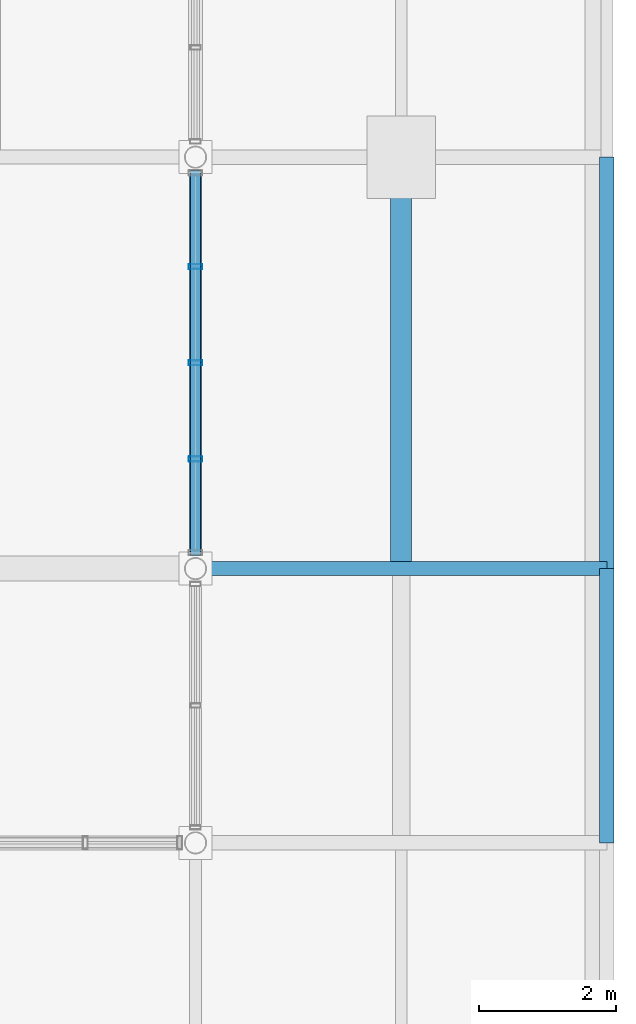
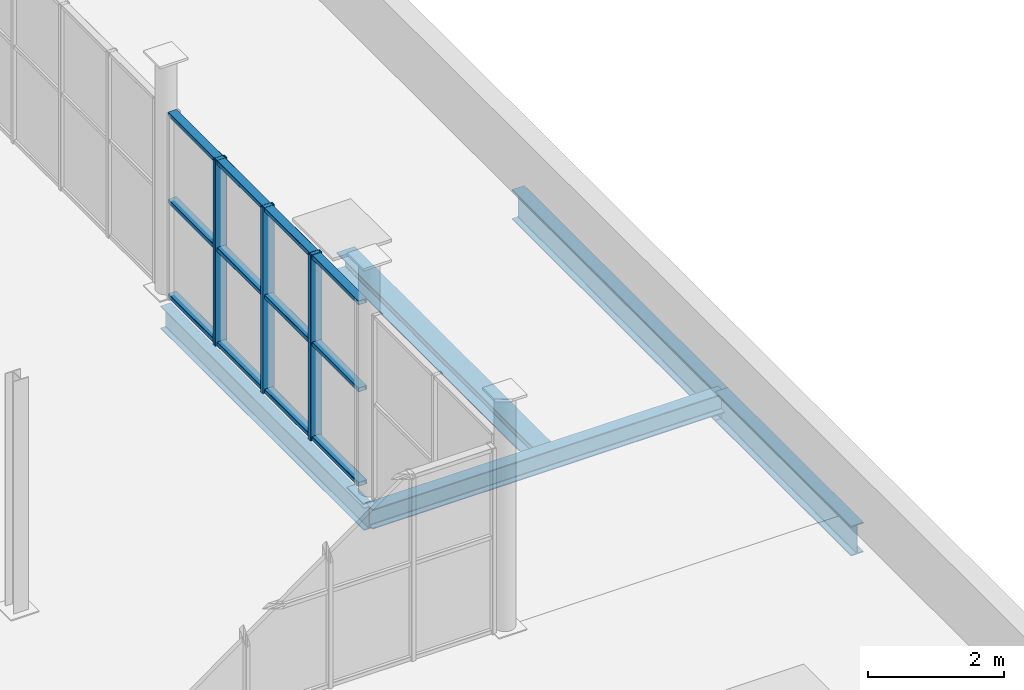
# One storey, part 10 of 27: 6 members, 5 beams, 1 element without a shape of its own.
"""IFC4 building model written with IfcOpenShell, lengths in metres."""

import ifcopenshell
import ifcopenshell.guid

model = None  # the IFC model being written
_history = None  # IfcOwnerHistory: only IFC2X3 demands one
_inside = {}  # id of a spatial element -> (the spatial element, [elements in it])
_under = {}  # id of a project, library or spatial element -> (it, [spatial elements below it])
_declared = {}  # id of a project -> (the project, [libraries it declares])
_typed = {}  # id of a type object -> (the type object, [elements of that type])
_made_of = {}  # id of a material, layer set ... -> (it, [elements and type objects made of it])


def new_model(schema):
    """Start an empty IFC model of exactly this schema.

    Asked for "IFC4X3", IfcOpenShell would pick the latest addendum, in which some entities
    have other attributes; the version numbers below select the first issue.
    IFC2X3 requires an IfcOwnerHistory on every rooted entity: one is made here for all.
    """
    global model, _history
    if schema == "IFC4X3":
        model = ifcopenshell.file(schema_version=(4, 3, 0, 0))
    else:
        model = ifcopenshell.file(schema=schema)
    _inside.clear()
    _under.clear()
    _declared.clear()
    _typed.clear()
    _made_of.clear()
    _history = None
    if model.schema == "IFC2X3":
        org = make("IfcOrganization", Name="unknown")
        user = make(
            "IfcPersonAndOrganization",
            ThePerson=make("IfcPerson", FamilyName="unknown"),
            TheOrganization=org,
        )
        app = make(
            "IfcApplication",
            ApplicationDeveloper=org,
            Version="unknown",
            ApplicationFullName="unknown",
            ApplicationIdentifier="unknown",
        )
        _history = make(
            "IfcOwnerHistory",
            OwningUser=user,
            OwningApplication=app,
            ChangeAction="ADDED",
            CreationDate=0,
        )
    return model


def make(cls, **values):
    """One entity of the class cls with the attributes given. An attribute that is None is left unset."""
    return model.create_entity(
        cls, **{name: value for name, value in values.items() if value is not None}
    )


def rooted(cls, **values):
    """An entity with a GlobalId (a new one), such as an element, a storey or a relation."""
    return make(cls, GlobalId=ifcopenshell.guid.new(), OwnerHistory=_history, **values)


def si_unit(unit_type, name, prefix=None):
    """IfcSIUnit, for example si_unit("LENGTHUNIT", "METRE", prefix="MILLI")."""
    return make("IfcSIUnit", UnitType=unit_type, Prefix=prefix, Name=name)


def assignment(units):
    """IfcUnitAssignment: the units of a project."""
    return None if units is None else make("IfcUnitAssignment", Units=units)


def point(xyz):
    """IfcCartesianPoint."""
    return None if xyz is None else make("IfcCartesianPoint", Coordinates=xyz)


def direction(xyz):
    """IfcDirection."""
    return None if xyz is None else make("IfcDirection", DirectionRatios=xyz)


def frame(location, z_axis=None, x_axis=None):
    """IfcAxis2Placement3D, a coordinate frame: its origin and axes. An axis left out is left unset."""
    return make(
        "IfcAxis2Placement3D",
        Location=point(location),
        Axis=direction(z_axis),
        RefDirection=direction(x_axis),
    )


def frame_2d(location, x_axis=None):
    """IfcAxis2Placement2D, a coordinate frame in the plane: its origin and x axis."""
    return make(
        "IfcAxis2Placement2D", Location=point(location), RefDirection=direction(x_axis)
    )


def origin():
    """The frame at (0, 0, 0) with its axes left unset."""
    return frame((0.0, 0.0, 0.0))


def origin_2d():
    """The frame at (0, 0) in the plane with its x axis left unset."""
    return frame_2d((0.0, 0.0))


def place(relative_to, where):
    """IfcLocalPlacement: puts the frame where relative to a parent placement (None: the world)."""
    return make(
        "IfcLocalPlacement", PlacementRelTo=relative_to, RelativePlacement=where
    )


def context(
    kind, dimensions, precision=None, world=None, true_north=None, identifier=None
):
    """IfcGeometricRepresentationContext, for example the 3D "Model" context."""
    return make(
        "IfcGeometricRepresentationContext",
        ContextIdentifier=identifier,
        ContextType=kind,
        CoordinateSpaceDimension=dimensions,
        Precision=precision,
        WorldCoordinateSystem=world,
        TrueNorth=true_north,
    )


def subcontext(parent, identifier, kind, view, scale=None):
    """IfcGeometricRepresentationSubContext, for example "Body" below "Model"."""
    return make(
        "IfcGeometricRepresentationSubContext",
        ContextIdentifier=identifier,
        ContextType=kind,
        ParentContext=parent,
        TargetScale=scale,
        TargetView=view,
    )


def project(units=None, contexts=None):
    """IfcProject with its units and contexts."""
    return rooted(
        "IfcProject",
        Name="project",
        RepresentationContexts=contexts,
        UnitsInContext=assignment(units),
    )


def spatial(cls, under=None, at=None, **own):
    """A site, building, storey or space (cls), placed at a placement, below another one or the project."""
    s = rooted(cls, ObjectPlacement=at, **own)
    if under is not None:
        _under.setdefault(under.id(), (under, []))[1].append(s)
    return s


def profile(cls, at=None, kind="AREA", **sizes):
    """A parametric profile (cls). Its sizes go by their IFC names, for example OverallWidth=200.0."""
    return make(cls, ProfileType=kind, Position=at, **sizes)


def hollow_rectangle(**sizes):
    """IfcRectangleHollowProfileDef."""
    return profile("IfcRectangleHollowProfileDef", **sizes)


def i_section(**sizes):
    """IfcIShapeProfileDef."""
    return profile("IfcIShapeProfileDef", **sizes)


def extrude(swept, where, along, depth):
    """IfcExtrudedAreaSolid: the profile swept, set in the frame where, extruded along a direction by depth."""
    return make(
        "IfcExtrudedAreaSolid",
        SweptArea=swept,
        Position=where,
        ExtrudedDirection=direction(along),
        Depth=depth,
    )


def shape(context_of_items, identifier, shape_type, items):
    """IfcShapeRepresentation: the items that make up one representation, for example the "Body"."""
    return make(
        "IfcShapeRepresentation",
        ContextOfItems=context_of_items,
        RepresentationIdentifier=identifier,
        RepresentationType=shape_type,
        Items=items,
    )


def material(Name=None, Category=None):
    """IfcMaterial."""
    return make("IfcMaterial", Name=Name, Category=Category)


def material_profile(
    of_material, cross_section, Name=None, Category=None, Priority=None
):
    """IfcMaterialProfile: a cross section and its material."""
    return make(
        "IfcMaterialProfile",
        Name=Name,
        Material=of_material,
        Profile=cross_section,
        Priority=Priority,
        Category=Category,
    )


def profile_set(profiles, Name=None, composite=None):
    """IfcMaterialProfileSet."""
    return make(
        "IfcMaterialProfileSet",
        Name=Name,
        MaterialProfiles=profiles,
        CompositeProfile=composite,
    )


def made_of(thing, what):
    """Note that an element or type object is made of a material, layer set ...; save() writes the relation."""
    if what is not None:
        _made_of.setdefault(what.id(), (what, []))[1].append(thing)
    return thing


def type_object(cls, material=None, **own):
    """A type object (cls), such as IfcWallType, which elements share."""
    return made_of(rooted(cls, **own), material)


def element(
    cls,
    number,
    at=None,
    inside=None,
    cuts=None,
    type_object=None,
    material=None,
    context=None,
    identifier="Body",
    shape_type=None,
    held_by="IfcProductDefinitionShape",
    body=None,
    shapes=None,
    **own,
):
    """One element of the class cls, such as IfcWall. Its Tag is "e" and its number.

    at: its placement. inside: the storey or other place that contains it. cuts: it is an
    opening in that element (IfcRelVoidsElement). A single representation is given by context,
    identifier, shape_type and body (its items); several are given by shapes. held_by: the class
    of the entity that holds the representations. save() writes the other relations.
    """
    e = rooted(cls, Tag="e%d" % number, ObjectPlacement=at, **own)
    if body is not None:
        shapes = [shape(context, identifier, shape_type, body)]
    if shapes is not None:
        e.Representation = make(held_by, Representations=shapes)
    if inside is not None:
        _inside.setdefault(inside.id(), (inside, []))[1].append(e)
    if cuts is not None:
        rooted(
            "IfcRelVoidsElement", RelatingBuildingElement=cuts, RelatedOpeningElement=e
        )
    if type_object is not None:
        _typed.setdefault(type_object.id(), (type_object, []))[1].append(e)
    return made_of(e, material)


def aggregate(whole, parts):
    """IfcRelAggregates: a whole, such as a stair, and the parts it consists of."""
    return rooted("IfcRelAggregates", RelatingObject=whole, RelatedObjects=parts)


def save(model, path):
    """Write the relations noted so far, then the file.

    IfcRelAggregates (storeys below a building ...), IfcRelContainedInSpatialStructure (elements
    in a storey), IfcRelDefinesByType, IfcRelAssociatesMaterial and IfcRelDeclares: one each for
    every whole, place, type object, material and project.
    """
    for whole, parts in _under.values():
        aggregate(whole, parts)
    for where, things in _inside.values():
        rooted(
            "IfcRelContainedInSpatialStructure",
            RelatedElements=things,
            RelatingStructure=where,
        )
    for kind, things in _typed.values():
        rooted("IfcRelDefinesByType", RelatedObjects=things, RelatingType=kind)
    for what, things in _made_of.values():
        rooted("IfcRelAssociatesMaterial", RelatedObjects=things, RelatingMaterial=what)
    for by, libraries in _declared.values():
        rooted("IfcRelDeclares", RelatingContext=by, RelatedDefinitions=libraries)
    model.write(path)


model = new_model("IFC4")

# Units and contexts
model_context = context("Model", 3, precision=1e-05, world=origin(), true_north=direction((0.0, 1.0)))
body_context = subcontext(model_context, "Body", "Model", "MODEL_VIEW")
ifc_project = project(units=[si_unit("LENGTHUNIT", "METRE"), si_unit("AREAUNIT", "SQUARE_METRE"), si_unit("VOLUMEUNIT", "CUBIC_METRE"), si_unit("PLANEANGLEUNIT", "RADIAN"), si_unit("MASSUNIT", "GRAM", prefix="KILO")], contexts=[model_context])

# Site, building, storey
site_placement = place(None, origin())
site = spatial("IfcSite", under=ifc_project, at=site_placement, CompositionType="ELEMENT")
building_placement = place(site_placement, origin())
building = spatial("IfcBuilding", under=site, at=building_placement, Name="Verrall Gate Interchange", CompositionType="ELEMENT")
storey_placement = place(building_placement, frame((0.0, 0.0, 28.60009765625)))
storey = spatial("IfcBuildingStorey", under=building, at=storey_placement, Name="L07", CompositionType="ELEMENT", Elevation=28.60009765625)

# Beams
ifc_material_1 = material(Name="Structural Steel CSA G40.21 350W", Category="steel")
ifc_material_profile_1 = material_profile(ifc_material_1, i_section(OverallWidth=0.2109375, OverallDepth=0.5390625, WebThickness=0.01171875, FlangeThickness=0.018798828125, FilletRadius=0.013916015625, at=origin_2d()), Name="W530x109")
ifc_profile_set_1 = profile_set([ifc_material_profile_1], Name="Structural Steel CSA G40.21 350W")
beam_type_1 = type_object("IfcBeamType", Name="B-10 Structural Beam W530x109", PredefinedType="BEAM", material=ifc_profile_set_1)
beam_1_placement = place(storey_placement, frame((36.0, 12.0, -0.529541015625), z_axis=(0.0, 1.0, 0.0), x_axis=(-1.0, 0.0, 0.0)))
element("IfcBeam", 1, at=beam_1_placement, inside=storey, type_object=beam_type_1, Name="L07 Girder BM-L07-3310 (B-10)", PredefinedType="BEAM", context=body_context, shape_type="SweptSolid", body=[
    extrude(i_section(OverallWidth=0.2109375, OverallDepth=0.5390625, WebThickness=0.01171875, FlangeThickness=0.018798828125, FilletRadius=0.013916015625, at=origin_2d()), origin(), (0.0, 0.0, 1.0), 4.0),
])
beam_2_placement = place(storey_placement, frame((36.0, 16.0, -0.529541015625), z_axis=(0.0, 1.0, 0.0), x_axis=(-1.0, 0.0, 0.0)))
element("IfcBeam", 2, at=beam_2_placement, inside=storey, type_object=beam_type_1, Name="L07 Girder BM-L07-3311 (B-10)", PredefinedType="BEAM", context=body_context, shape_type="SweptSolid", body=[
    extrude(i_section(OverallWidth=0.2109375, OverallDepth=0.5390625, WebThickness=0.01171875, FlangeThickness=0.018798828125, FilletRadius=0.013916015625, at=origin_2d()), origin(), (0.0, 0.0, 1.0), 6.0),
])
ifc_material_2 = material(Name="Structural Steel CSA G40.21 350W", Category="steel")
ifc_material_profile_2 = material_profile(ifc_material_2, i_section(OverallWidth=0.178955078125, OverallDepth=0.409912109375, WebThickness=0.0087890625, FlangeThickness=0.014404296875, FilletRadius=0.011962890625, at=origin_2d()), Name="W410x67")
ifc_profile_set_2 = profile_set([ifc_material_profile_2], Name="Structural Steel CSA G40.21 350W")
beam_type_2 = type_object("IfcBeamType", Name="B-12 Structural Beam W410x67", PredefinedType="BEAM", material=ifc_profile_set_2)
beam_3_placement = place(storey_placement, frame((30.0, 16.0, -0.465087890625), z_axis=(0.0, 1.0, 0.0), x_axis=(-1.0, 0.0, 0.0)))
element("IfcBeam", 3, at=beam_3_placement, inside=storey, type_object=beam_type_2, Name="L07 Girder BM-L07-3302 (B-12)", PredefinedType="BEAM", context=body_context, shape_type="SweptSolid", body=[
    extrude(i_section(OverallWidth=0.178955078125, OverallDepth=0.409912109375, WebThickness=0.0087890625, FlangeThickness=0.014404296875, FilletRadius=0.011962890625, at=origin_2d()), origin(), (0.0, 0.0, 1.0), 6.0),
])
ifc_material_3 = material(Name="Structural Steel CSA G40.21 350W", Category="steel")
ifc_material_profile_3 = material_profile(ifc_material_3, i_section(OverallWidth=0.205078125, OverallDepth=0.35400390625, WebThickness=0.009521484375, FlangeThickness=0.016845703125, FilletRadius=0.012939453125, at=origin_2d()), Name="W360x79")
ifc_profile_set_3 = profile_set([ifc_material_profile_3], Name="Structural Steel CSA G40.21 350W")
beam_type_3 = type_object("IfcBeamType", Name="B-14 Structural Beam W360x79", PredefinedType="BEAM", material=ifc_profile_set_3)
beam_4_placement = place(storey_placement, frame((30.0, 16.0, -0.43701171875), z_axis=(1.0, 0.0, 0.0), x_axis=(0.0, 1.0, 0.0)))
element("IfcBeam", 4, at=beam_4_placement, inside=storey, type_object=beam_type_3, Name="L07 Girder BM-L07-3234 (B-14)", PredefinedType="BEAM", context=body_context, shape_type="SweptSolid", body=[
    extrude(i_section(OverallWidth=0.205078125, OverallDepth=0.35400390625, WebThickness=0.009521484375, FlangeThickness=0.016845703125, FilletRadius=0.012939453125, at=origin_2d()), origin(), (0.0, 0.0, 1.0), 6.0),
])

# Curtain wall, members
ifc_material_4 = material(Name="Thermally Broken Anodized Aluminium Curtain Wall Framing", Category="aluminium")
curtain_wall_type = type_object("IfcCurtainWallType", Name="CW-43 Unitized Curtain Wall 5612x3310", PredefinedType="NOTDEFINED", material=ifc_material_4)
curtain_wall_placement = place(storey_placement, origin())
curtain_wall = element("IfcCurtainWall", 5, at=curtain_wall_placement, inside=storey, type_object=curtain_wall_type, Name="L07 Unitized Curtain Wall CW-L07-157", PredefinedType="NOTDEFINED")
ifc_material_5 = material(Name="Thermally Broken Anodized Aluminium Curtain Wall Framing", Category="aluminium")
ifc_material_profile_4 = material_profile(ifc_material_5, hollow_rectangle(XDim=0.074951171875, YDim=0.199951171875, WallThickness=0.0048828125, InnerFilletRadius=0.0048828125, OuterFilletRadius=0.010009765625, at=origin_2d()), Name="CWM200x75x5")
ifc_profile_set_4 = profile_set([ifc_material_profile_4], Name="Thermally Broken Anodized Aluminium Curtain Wall Framing")
member_type_1 = type_object("IfcMemberType", Name="CM-02 Curtain Mullion CWM200x75x5", PredefinedType="MULLION", material=ifc_profile_set_4)
member_1_placement = place(storey_placement, frame((30.0, 17.596923828125, 0.0), z_axis=(0.0, 0.0, 1.0), x_axis=(0.0, 1.0, 0.0)))
member_1 = element("IfcMember", 6, at=member_1_placement, type_object=member_type_1, Name="CW-L07-157 Mullion 2", PredefinedType="MULLION", context=body_context, shape_type="SweptSolid", body=[
    extrude(hollow_rectangle(XDim=0.074951171875, YDim=0.199951171875, WallThickness=0.0048828125, InnerFilletRadius=0.0048828125, OuterFilletRadius=0.010009765625, at=origin_2d()), origin(), (0.0, 0.0, 1.0), 3.33984375),
])
member_2_placement = place(storey_placement, frame((30.0, 19.0, 0.0), z_axis=(0.0, 0.0, 1.0), x_axis=(0.0, 1.0, 0.0)))
member_2 = element("IfcMember", 7, at=member_2_placement, type_object=member_type_1, Name="CW-L07-157 Mullion 3", PredefinedType="MULLION", context=body_context, shape_type="SweptSolid", body=[
    extrude(hollow_rectangle(XDim=0.074951171875, YDim=0.199951171875, WallThickness=0.0048828125, InnerFilletRadius=0.0048828125, OuterFilletRadius=0.010009765625, at=origin_2d()), origin(), (0.0, 0.0, 1.0), 3.33984375),
])
member_3_placement = place(storey_placement, frame((30.0, 20.403076171875, 0.0), z_axis=(0.0, 0.0, 1.0), x_axis=(0.0, 1.0, 0.0)))
member_3 = element("IfcMember", 8, at=member_3_placement, type_object=member_type_1, Name="CW-L07-157 Mullion 4", PredefinedType="MULLION", context=body_context, shape_type="SweptSolid", body=[
    extrude(hollow_rectangle(XDim=0.074951171875, YDim=0.199951171875, WallThickness=0.0048828125, InnerFilletRadius=0.0048828125, OuterFilletRadius=0.010009765625, at=origin_2d()), origin(), (0.0, 0.0, 1.0), 3.33984375),
])
ifc_material_6 = material(Name="Thermally Broken Anodized Aluminium Curtain Wall Framing", Category="aluminium")
ifc_material_profile_5 = material_profile(ifc_material_6, hollow_rectangle(XDim=0.14990234375, YDim=0.074951171875, WallThickness=0.00439453125, InnerFilletRadius=0.00439453125, OuterFilletRadius=0.009033203125, at=origin_2d()), Name="CWT150x75x4.5")
ifc_profile_set_5 = profile_set([ifc_material_profile_5], Name="Thermally Broken Anodized Aluminium Curtain Wall Framing")
member_type_2 = type_object("IfcMemberType", Name="CT-02 Curtain Transom CWT150x75x4.5", PredefinedType="USERDEFINED", material=ifc_profile_set_5)
member_4_placement = place(storey_placement, frame((30.0, 16.194091796875, 0.037353515625), z_axis=(0.0, 1.0, 0.0), x_axis=(-1.0, 0.0, 0.0)))
member_4 = element("IfcMember", 9, at=member_4_placement, type_object=member_type_2, Name="CW-L07-157 Transom 1", ObjectType="TRANSOM", PredefinedType="USERDEFINED", context=body_context, shape_type="SweptSolid", body=[
    extrude(hollow_rectangle(XDim=0.14990234375, YDim=0.074951171875, WallThickness=0.00439453125, InnerFilletRadius=0.00439453125, OuterFilletRadius=0.009033203125, at=origin_2d()), origin(), (0.0, 0.0, 1.0), 5.612060546875),
])
member_5_placement = place(storey_placement, frame((30.0, 16.194091796875, 1.73681640625), z_axis=(0.0, 1.0, 0.0), x_axis=(-1.0, 0.0, 0.0)))
member_5 = element("IfcMember", 10, at=member_5_placement, type_object=member_type_2, Name="CW-L07-157 Transom 2", ObjectType="TRANSOM", PredefinedType="USERDEFINED", context=body_context, shape_type="SweptSolid", body=[
    extrude(hollow_rectangle(XDim=0.14990234375, YDim=0.074951171875, WallThickness=0.00439453125, InnerFilletRadius=0.00439453125, OuterFilletRadius=0.009033203125, at=origin_2d()), origin(), (0.0, 0.0, 1.0), 5.612060546875),
])
member_6_placement = place(storey_placement, frame((30.0, 16.194091796875, 3.302490234375), z_axis=(0.0, 1.0, 0.0), x_axis=(-1.0, 0.0, 0.0)))
member_6 = element("IfcMember", 11, at=member_6_placement, type_object=member_type_2, Name="CW-L07-157 Transom 3", ObjectType="TRANSOM", PredefinedType="USERDEFINED", context=body_context, shape_type="SweptSolid", body=[
    extrude(hollow_rectangle(XDim=0.14990234375, YDim=0.074951171875, WallThickness=0.00439453125, InnerFilletRadius=0.00439453125, OuterFilletRadius=0.009033203125, at=origin_2d()), origin(), (0.0, 0.0, 1.0), 5.612060546875),
])
aggregate(curtain_wall, [member_1, member_2, member_3, member_4, member_5, member_6])

# Beam
ifc_material_7 = material(Name="Structural Steel CSA G40.21 350W", Category="steel")
ifc_material_profile_6 = material_profile(ifc_material_7, i_section(OverallWidth=0.306884765625, OverallDepth=0.31396484375, WebThickness=0.011962890625, FlangeThickness=0.018798828125, FilletRadius=0.013916015625, at=origin_2d()), Name="W310x118")
ifc_profile_set_6 = profile_set([ifc_material_profile_6], Name="Structural Steel CSA G40.21 350W")
beam_type_4 = type_object("IfcBeamType", Name="J-02 Floor Joist W310x118", PredefinedType="JOIST", material=ifc_profile_set_6)
beam_5_placement = place(storey_placement, frame((33.0, 16.1025390625, -0.4169921875), z_axis=(0.0, 1.0, 0.0), x_axis=(-1.0, 0.0, 0.0)))
element("IfcBeam", 12, at=beam_5_placement, inside=storey, type_object=beam_type_4, Name="L07 Secondary Floor Joist JST-L07-3328", PredefinedType="JOIST", context=body_context, shape_type="SweptSolid", body=[
    extrude(i_section(OverallWidth=0.306884765625, OverallDepth=0.31396484375, WebThickness=0.011962890625, FlangeThickness=0.018798828125, FilletRadius=0.013916015625, at=origin_2d()), origin(), (0.0, 0.0, 1.0), 5.7919921875),
])

save(model, "model.ifc")
